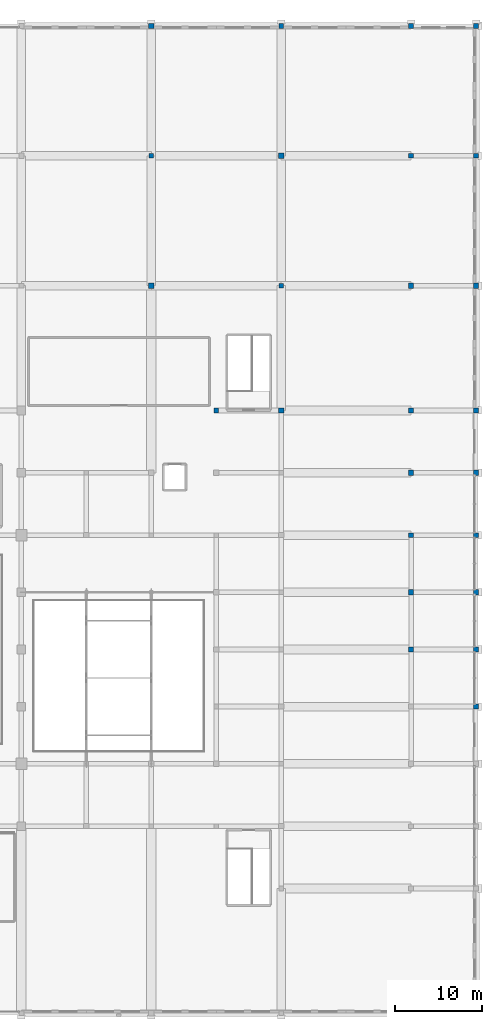
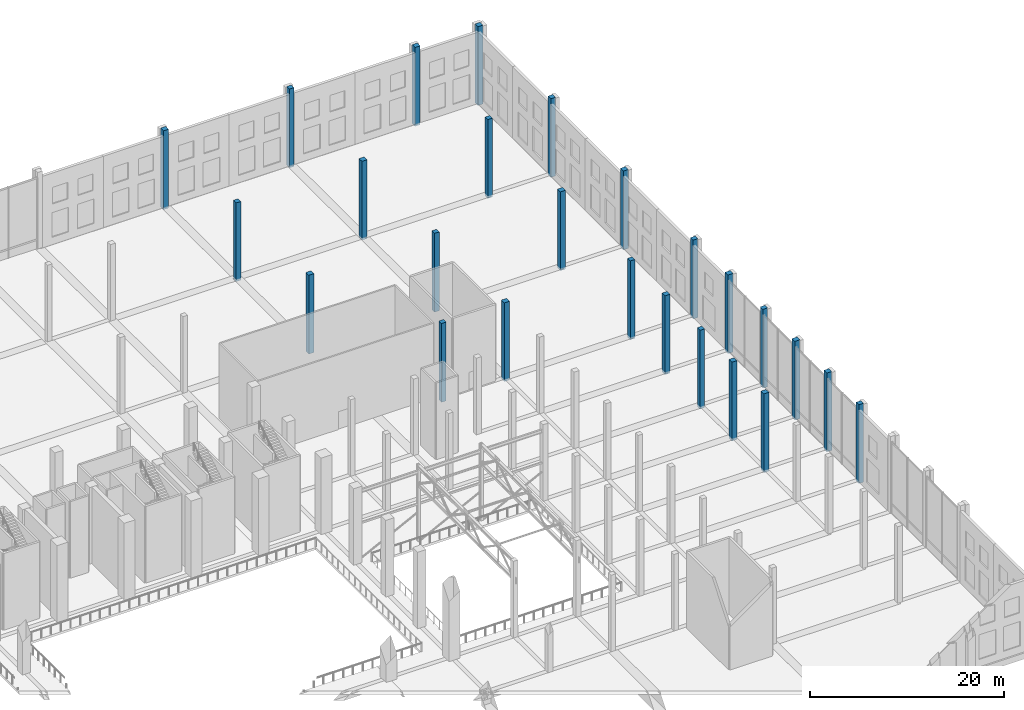
# One storey, part 7 of 80: 25 columns.
"""IFC4 building model written with IfcOpenShell, lengths in metres."""

from ifc_helpers import new_model, si_unit, direction, frame, origin, origin_2d, place, context, subcontext, project, spatial, rectangle, extrude, material, material_profile, profile_set, type_object, element, save


model = new_model("IFC4")

# Units and contexts
model_context = context("Model", 3, precision=1e-05, world=origin(), true_north=direction((0.0, 1.0)))
body_context = subcontext(model_context, "Body", "Model", "MODEL_VIEW")
ifc_project = project(units=[si_unit("LENGTHUNIT", "METRE"), si_unit("AREAUNIT", "SQUARE_METRE"), si_unit("VOLUMEUNIT", "CUBIC_METRE"), si_unit("PLANEANGLEUNIT", "RADIAN"), si_unit("MASSUNIT", "GRAM", prefix="KILO")], contexts=[model_context])

# Site, building, storey
site_placement = place(None, origin())
site = spatial("IfcSite", under=ifc_project, at=site_placement, CompositionType="ELEMENT")
building_placement = place(site_placement, origin())
building = spatial("IfcBuilding", under=site, at=building_placement, Name="Akrevak Sports Hall", CompositionType="ELEMENT")
storey_placement = place(building_placement, frame((0.0, 0.0, 14.0)))
storey = spatial("IfcBuildingStorey", under=building, at=storey_placement, Name="L03", CompositionType="ELEMENT", Elevation=14.0)

# Columns
ifc_material = material(Name="Concrete C40/50", Category="concrete")
ifc_material_profile_1 = material_profile(ifc_material, rectangle(XDim=0.550048828125, YDim=0.550048828125, at=origin_2d()), Name="RC 550x550", Category="concrete")
ifc_profile_set_1 = profile_set([ifc_material_profile_1], Name="Concrete C40/50")
column_type_1 = type_object("IfcColumnType", Name="STR-COL-RC550", PredefinedType="COLUMN", material=ifc_profile_set_1)
for number, where, z_axis, x_axis, name in (
    (1, (130.5, 99.0, -0.280029296875), (0.0, 0.0, 1.0), (1.0, 0.0, 0.0), "Column 18/O (L03)"),
    (2, (138.0, 69.60009765625, -0.280029296875), (0.0, 0.0, 1.0), (1.0, 0.0, 0.0), "Column 19/K (L03)"),
    (3, (145.5, 84.0, -0.280029296875), (0.0, 0.0, 1.0), (1.0, 0.0, 0.0), "Column 20/M (L03)"),
    (4, (145.5, 114.0, -0.280029296875), (0.0, 0.0, 1.0), (1.0, 0.0, 0.0), "Column 20/Q (L03)"),
    (5, (160.5, 55.199951171875, -0.280029296875), (0.0, 0.0, 1.0), (1.0, 0.0, 0.0), "Column 22/I (L03)"),
    (6, (160.5, 69.60009765625, -0.280029296875), (0.0, 0.0, 1.0), (1.0, 0.0, 0.0), "Column 22/K (L03)"),
    (7, (160.5, 99.0, -0.280029296875), (0.0, 0.0, 1.0), (1.0, 0.0, 0.0), "Column 22/O (L03)"),
    (8, (168.0, 35.39990234375, -0.280029296875), (0.0, 0.0, 1.0), (1.0, 0.0, 0.0), "Column 23/F (L03)"),
    (9, (168.0, 55.199951171875, -0.280029296875), (0.0, 0.0, 1.0), (1.0, 0.0, 0.0), "Column 23/I (L03)"),
    (10, (168.0, 69.60009765625, -0.280029296875), (0.0, 0.0, 1.0), (1.0, 0.0, 0.0), "Column 23/K (L03)"),
    (11, (168.0, 99.0, -0.280029296875), (0.0, 0.0, 1.0), (1.0, 0.0, 0.0), "Column 23/O (L03)"),
):
    element("IfcColumn", number, at=place(storey_placement, frame(where, z_axis=z_axis, x_axis=x_axis)), inside=storey, type_object=column_type_1, Name=name, PredefinedType="COLUMN", context=body_context, shape_type="SweptSolid", body=[
        extrude(rectangle(XDim=0.550048828125, YDim=0.550048828125, at=origin_2d()), origin(), (0.0, 0.0, 1.0), 9.929931640625),
    ])
ifc_material_profile_2 = material_profile(ifc_material, rectangle(XDim=0.60009765625, YDim=0.60009765625, at=origin_2d()), Name="RC 600x600", Category="concrete")
ifc_profile_set_2 = profile_set([ifc_material_profile_2], Name="Concrete C40/50")
column_type_2 = type_object("IfcColumnType", Name="STR-COL-RC600", PredefinedType="COLUMN", material=ifc_profile_set_2)
for number, where, z_axis, x_axis, name in (
    (12, (130.5, 84.0, -0.280029296875), (0.0, 0.0, 1.0), (1.0, 0.0, 0.0), "Column 18/M (L03)"),
    (13, (130.5, 114.0, -0.280029296875), (0.0, 0.0, 1.0), (1.0, 0.0, 0.0), "Column 18/Q (L03)"),
    (14, (145.5, 69.60009765625, -0.280029296875), (0.0, 0.0, 1.0), (1.0, 0.0, 0.0), "Column 20/K (L03)"),
    (15, (145.5, 99.0, -0.280029296875), (0.0, 0.0, 1.0), (1.0, 0.0, 0.0), "Column 20/O (L03)"),
    (16, (160.5, 42.0, -0.280029296875), (0.0, 0.0, 1.0), (1.0, 0.0, 0.0), "Column 22/G (L03)"),
    (17, (160.5, 48.60009765625, -0.280029296875), (0.0, 0.0, 1.0), (1.0, 0.0, 0.0), "Column 22/H (L03)"),
    (18, (160.5, 62.39990234375, -0.280029296875), (0.0, 0.0, 1.0), (1.0, 0.0, 0.0), "Column 22/J (L03)"),
    (19, (160.5, 84.0, -0.280029296875), (0.0, 0.0, 1.0), (1.0, 0.0, 0.0), "Column 22/M (L03)"),
    (20, (160.5, 114.0, -0.280029296875), (0.0, 0.0, 1.0), (1.0, 0.0, 0.0), "Column 22/Q (L03)"),
    (21, (168.0, 42.0, -0.280029296875), (0.0, 0.0, 1.0), (1.0, 0.0, 0.0), "Column 23/G (L03)"),
    (22, (168.0, 48.60009765625, -0.280029296875), (0.0, 0.0, 1.0), (1.0, 0.0, 0.0), "Column 23/H (L03)"),
    (23, (168.0, 62.39990234375, -0.280029296875), (0.0, 0.0, 1.0), (1.0, 0.0, 0.0), "Column 23/J (L03)"),
    (24, (168.0, 84.0, -0.280029296875), (0.0, 0.0, 1.0), (1.0, 0.0, 0.0), "Column 23/M (L03)"),
    (25, (168.0, 114.0, -0.280029296875), (0.0, 0.0, 1.0), (1.0, 0.0, 0.0), "Column 23/Q (L03)"),
):
    element("IfcColumn", number, at=place(storey_placement, frame(where, z_axis=z_axis, x_axis=x_axis)), inside=storey, type_object=column_type_2, Name=name, PredefinedType="COLUMN", context=body_context, shape_type="SweptSolid", body=[
        extrude(rectangle(XDim=0.60009765625, YDim=0.60009765625, at=origin_2d()), origin(), (0.0, 0.0, 1.0), 9.929931640625),
    ])

save(model, "model.ifc")
